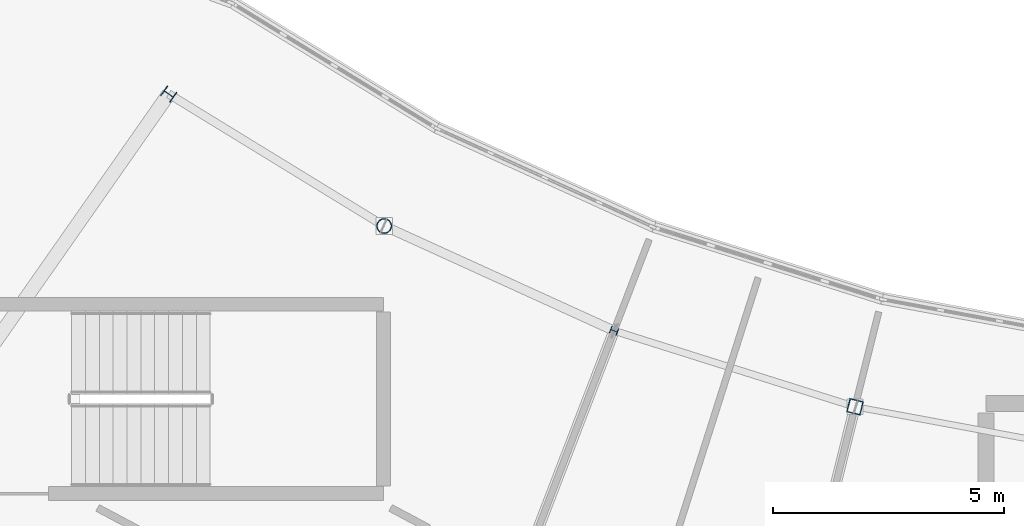
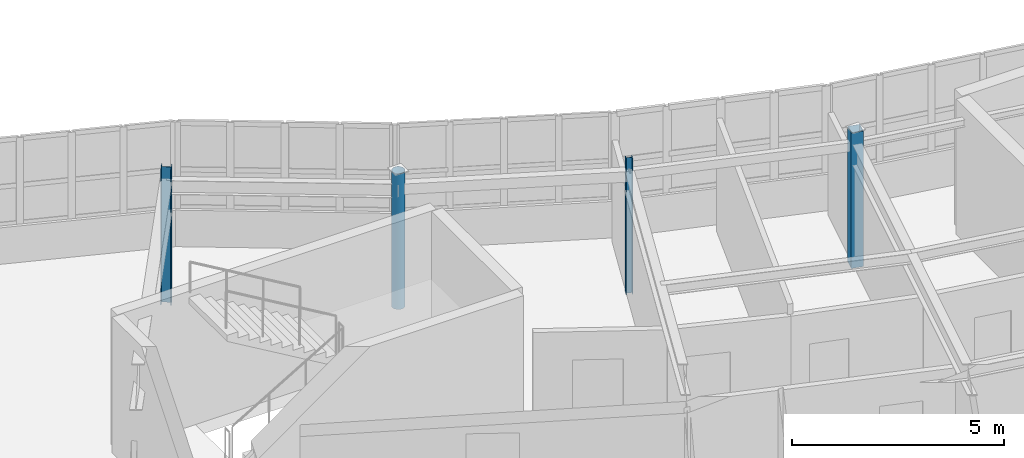
# One storey, part 2 of 79: 4 columns.
"""IFC4 building model written with IfcOpenShell, lengths in metres."""

from ifc_helpers import new_model, si_unit, direction, frame, origin, origin_2d, place, context, subcontext, project, spatial, hollow_rectangle, hollow_circle, i_section, extrude, material, material_profile, profile_set, type_object, element, save


model = new_model("IFC4")

# Units and contexts
model_context = context("Model", 3, precision=1e-05, world=origin(), true_north=direction((0.0, 1.0)))
body_context = subcontext(model_context, "Body", "Model", "MODEL_VIEW")
ifc_project = project(units=[si_unit("LENGTHUNIT", "METRE"), si_unit("AREAUNIT", "SQUARE_METRE"), si_unit("VOLUMEUNIT", "CUBIC_METRE"), si_unit("PLANEANGLEUNIT", "RADIAN"), si_unit("MASSUNIT", "GRAM", prefix="KILO")], contexts=[model_context])

# Site, building, storey
site_placement = place(None, origin())
site = spatial("IfcSite", under=ifc_project, at=site_placement, CompositionType="ELEMENT")
building_placement = place(site_placement, origin())
building = spatial("IfcBuilding", under=site, at=building_placement, Name="Tarnwether General Hospital", CompositionType="ELEMENT")
storey_placement = place(building_placement, frame((0.0, 0.0, 18.300048828125)))
storey = spatial("IfcBuildingStorey", under=building, at=storey_placement, Name="L04", CompositionType="ELEMENT", Elevation=18.300048828125)

# Columns
ifc_material_1 = material(Name="Steel Grade 350 (350 MPa)", Category="steel")
ifc_material_profile_1 = material_profile(ifc_material_1, i_section(OverallWidth=0.25390625, OverallDepth=0.25390625, WebThickness=0.008544921875, FlangeThickness=0.01416015625, at=origin_2d()), Name="250UC72.9")
ifc_profile_set_1 = profile_set([ifc_material_profile_1], Name="Steel Grade 350 (350 MPa)")
column_type_1 = type_object("IfcColumnType", Name="COL-24", PredefinedType="COLUMN", material=ifc_profile_set_1)
column_1_placement = place(storey_placement, frame((66.303955078125, 26.302001953125, 0.0), z_axis=(0.0, 0.0, 1.0), x_axis=(0.573576436351, 0.819152044289, 0.0)))
element("IfcColumn", 1, at=column_1_placement, inside=storey, type_object=column_type_1, Name="Column COLG-L04-6630_2630", PredefinedType="COLUMN", context=body_context, shape_type="SweptSolid", body=[
    extrude(i_section(OverallWidth=0.25390625, OverallDepth=0.25390625, WebThickness=0.008544921875, FlangeThickness=0.01416015625, at=origin_2d()), origin(), (0.0, 0.0, 1.0), 3.89990234375),
])
ifc_material_2 = material(Name="Steel Grade C350L0 (350 MPa)", Category="steel")
ifc_material_profile_2 = material_profile(ifc_material_2, hollow_circle(Radius=0.161865234375, WallThickness=0.0126953125, at=origin_2d()), Name="CHS323.9x12.7")
ifc_profile_set_2 = profile_set([ifc_material_profile_2], Name="Steel Grade C350L0 (350 MPa)")
column_type_2 = type_object("IfcColumnType", Name="COL-26", PredefinedType="COLUMN", material=ifc_profile_set_2)
column_2_placement = place(storey_placement, frame((70.968017578125, 23.444091796875, 0.0), z_axis=(0.0, 0.0, 1.0), x_axis=(0.469471562786, 0.882947592859, 0.0)))
element("IfcColumn", 2, at=column_2_placement, inside=storey, type_object=column_type_2, Name="Column COLG-L04-7097_2344", PredefinedType="COLUMN", context=body_context, shape_type="SweptSolid", body=[
    extrude(hollow_circle(Radius=0.161865234375, WallThickness=0.0126953125, at=origin_2d()), origin(), (0.0, 0.0, 1.0), 3.89990234375),
])
ifc_material_3 = material(Name="Steel Grade 350 (350 MPa)", Category="steel")
ifc_material_profile_3 = material_profile(ifc_material_3, i_section(OverallWidth=0.154052734375, OverallDepth=0.162109375, WebThickness=0.008056640625, FlangeThickness=0.011474609375, at=origin_2d()), Name="150UC37.2")
ifc_profile_set_3 = profile_set([ifc_material_profile_3], Name="Steel Grade 350 (350 MPa)")
column_type_3 = type_object("IfcColumnType", Name="COL-28", PredefinedType="COLUMN", material=ifc_profile_set_3)
column_3_placement = place(storey_placement, frame((75.945068359375, 21.176025390625, 0.0), z_axis=(0.0, 0.0, 1.0), x_axis=(0.358367949545, 0.933580426497, 0.0)))
element("IfcColumn", 3, at=column_3_placement, inside=storey, type_object=column_type_3, Name="Column COLG-L04-7594_2118", PredefinedType="COLUMN", context=body_context, shape_type="SweptSolid", body=[
    extrude(i_section(OverallWidth=0.154052734375, OverallDepth=0.162109375, WebThickness=0.008056640625, FlangeThickness=0.011474609375, at=origin_2d()), origin(), (0.0, 0.0, 1.0), 3.89990234375),
])
ifc_material_4 = material(Name="Steel Grade C350L0 (350 MPa)", Category="steel")
ifc_material_profile_4 = material_profile(ifc_material_4, hollow_rectangle(XDim=0.300048828125, YDim=0.300048828125, WallThickness=0.012451171875, at=origin_2d()), Name="SHS300x300x12.5")
ifc_profile_set_4 = profile_set([ifc_material_profile_4], Name="Steel Grade C350L0 (350 MPa)")
column_type_4 = type_object("IfcColumnType", Name="COL-30", PredefinedType="COLUMN", material=ifc_profile_set_4)
column_4_placement = place(storey_placement, frame((81.162109375, 19.531005859375, 0.0), z_axis=(0.0, 0.0, 1.0), x_axis=(0.2419218956, 0.970295726276, 0.0)))
element("IfcColumn", 4, at=column_4_placement, inside=storey, type_object=column_type_4, Name="Column COLG-L04-8116_1953", PredefinedType="COLUMN", context=body_context, shape_type="SweptSolid", body=[
    extrude(hollow_rectangle(XDim=0.300048828125, YDim=0.300048828125, WallThickness=0.012451171875, at=origin_2d()), origin(), (0.0, 0.0, 1.0), 3.89990234375),
])

save(model, "model.ifc")
